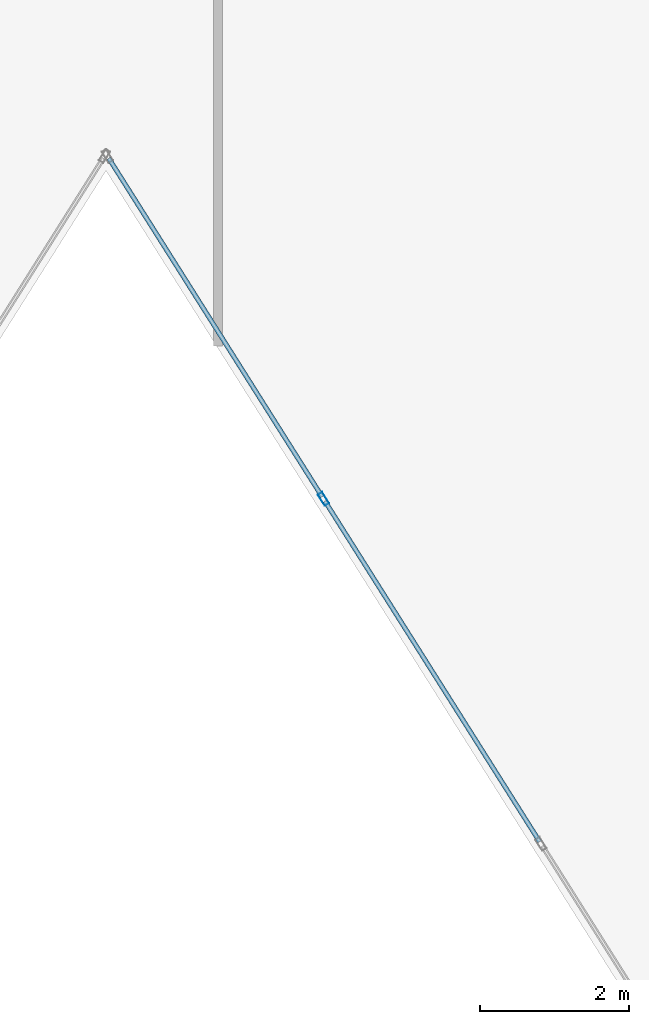
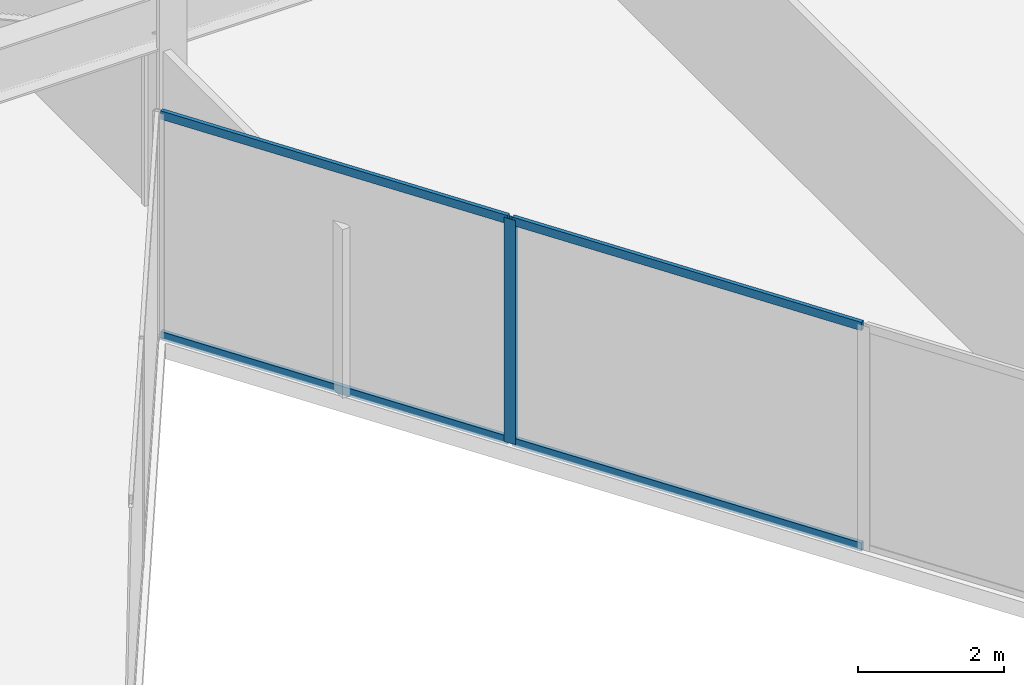
# One storey, part 15 of 25: 5 members, 1 element without a shape of its own.
"""IFC4 building model written with IfcOpenShell, lengths in metres."""

from ifc_helpers import new_model, si_unit, direction, frame, origin, origin_2d, place, context, subcontext, project, spatial, hollow_rectangle, extrude, material, layer, layer_set, material_profile, profile_set, type_object, element, aggregate, save


model = new_model("IFC4")

# Units and contexts
model_context = context("Model", 3, precision=1e-05, world=origin(), true_north=direction((0.0, 1.0)))
body_context = subcontext(model_context, "Body", "Model", "MODEL_VIEW")
ifc_project = project(units=[si_unit("LENGTHUNIT", "METRE"), si_unit("AREAUNIT", "SQUARE_METRE"), si_unit("VOLUMEUNIT", "CUBIC_METRE"), si_unit("PLANEANGLEUNIT", "RADIAN"), si_unit("MASSUNIT", "GRAM", prefix="KILO")], contexts=[model_context])

# Site, building, storey
site_placement = place(None, origin())
site = spatial("IfcSite", under=ifc_project, at=site_placement, CompositionType="ELEMENT")
building_placement = place(site_placement, origin())
building = spatial("IfcBuilding", under=site, at=building_placement, Name="Kravanh Interchange Tower", CompositionType="ELEMENT")
storey_placement = place(building_placement, frame((0.0, 0.0, 73.5)))
storey = spatial("IfcBuildingStorey", under=building, at=storey_placement, Name="L17", CompositionType="ELEMENT", Elevation=73.5)

# Curtain wall, members
ifc_material_1 = material(Name="Anodised Bronze Aluminium", Category="aluminium")
ifc_layer = layer(ifc_material_1, 0.179931640625)
ifc_layer_set = layer_set([ifc_layer], Name="Unitised Curtain Wall System CW-Z1 Lower Office")
curtain_wall_type = type_object("IfcCurtainWallType", Name="Unitised Curtain Wall System CW-Z1 Lower Office", PredefinedType="NOTDEFINED", material=ifc_layer_set)
curtain_wall_placement = place(storey_placement, origin())
curtain_wall = element("IfcCurtainWall", 1, at=curtain_wall_placement, inside=storey, type_object=curtain_wall_type, Name="L17 Unitised Curtain Wall CW-L17-04", PredefinedType="NOTDEFINED")
ifc_material_2 = material(Name="Anodised Bronze Aluminium", Category="aluminium")
ifc_material_profile_1 = material_profile(ifc_material_2, hollow_rectangle(XDim=0.070068359375, YDim=0.179931640625, WallThickness=0.00390625, at=origin_2d()), Name="ALU70X180X4")
ifc_profile_set_1 = profile_set([ifc_material_profile_1], Name="Anodised Bronze Aluminium")
member_type_1 = type_object("IfcMemberType", Name="Curtain Wall Mullion ALU70X180X4 Bronze", PredefinedType="MULLION", material=ifc_profile_set_1)
member_1_placement = place(storey_placement, frame((39.913330078125, 19.60400390625, 0.0), z_axis=(0.0, 0.0, 1.0), x_axis=(-0.845925530786, -0.53330103728, 0.0)))
member_1 = element("IfcMember", 2, at=member_1_placement, type_object=member_type_1, Name="CW-Z1 mullion 5", PredefinedType="MULLION", context=body_context, shape_type="SweptSolid", body=[
    extrude(hollow_rectangle(XDim=0.070068359375, YDim=0.179931640625, WallThickness=0.00390625, at=origin_2d()), origin(), (0.0, 0.0, 1.0), 3.739990234375),
])
ifc_material_3 = material(Name="Anodised Bronze Aluminium", Category="aluminium")
ifc_material_profile_2 = material_profile(ifc_material_3, hollow_rectangle(XDim=0.06005859375, YDim=0.139892578125, WallThickness=0.00390625, at=origin_2d()), Name="ALU60X140X4")
ifc_profile_set_2 = profile_set([ifc_material_profile_2], Name="Anodised Bronze Aluminium")
member_type_2 = type_object("IfcMemberType", Name="Curtain Wall Transom ALU60X140X4 Bronze", PredefinedType="USERDEFINED", material=ifc_profile_set_2)
member_2_placement = place(storey_placement, frame((42.807861328125, 15.0126953125, 0.030029296875), z_axis=(-0.533311487456, 0.84591894254, 0.0), x_axis=(-0.84591894254, -0.533311487456, 0.0)))
member_2 = element("IfcMember", 3, at=member_2_placement, type_object=member_type_2, Name="CW-Z1 transom 4.1", ObjectType="TRANSOM", PredefinedType="USERDEFINED", context=body_context, shape_type="SweptSolid", body=[
    extrude(hollow_rectangle(XDim=0.06005859375, YDim=0.139892578125, WallThickness=0.00390625, at=origin_2d()), origin(), (0.0, 0.0, 1.0), 5.392578125),
])
member_3_placement = place(storey_placement, frame((42.807861328125, 15.0126953125, 3.7099609375), z_axis=(-0.533311487456, 0.84591894254, 0.0), x_axis=(-0.84591894254, -0.533311487456, 0.0)))
member_3 = element("IfcMember", 4, at=member_3_placement, type_object=member_type_2, Name="CW-Z1 transom 4.2", ObjectType="TRANSOM", PredefinedType="USERDEFINED", context=body_context, shape_type="SweptSolid", body=[
    extrude(hollow_rectangle(XDim=0.06005859375, YDim=0.139892578125, WallThickness=0.00390625, at=origin_2d()), origin(), (0.0, 0.0, 1.0), 5.392578125),
])
member_4_placement = place(storey_placement, frame((39.89453125, 19.633544921875, 0.030029296875), z_axis=(-0.533288163518, 0.845933646719, 0.0), x_axis=(-0.845933646719, -0.533288163518, 0.0)))
member_4 = element("IfcMember", 5, at=member_4_placement, type_object=member_type_2, Name="CW-Z1 transom 5.1", ObjectType="TRANSOM", PredefinedType="USERDEFINED", context=body_context, shape_type="SweptSolid", body=[
    extrude(hollow_rectangle(XDim=0.06005859375, YDim=0.139892578125, WallThickness=0.00390625, at=origin_2d()), origin(), (0.0, 0.0, 1.0), 5.357666015625),
])
member_5_placement = place(storey_placement, frame((39.89453125, 19.633544921875, 3.7099609375), z_axis=(-0.533288163518, 0.845933646719, 0.0), x_axis=(-0.845933646719, -0.533288163518, 0.0)))
member_5 = element("IfcMember", 6, at=member_5_placement, type_object=member_type_2, Name="CW-Z1 transom 5.2", ObjectType="TRANSOM", PredefinedType="USERDEFINED", context=body_context, shape_type="SweptSolid", body=[
    extrude(hollow_rectangle(XDim=0.06005859375, YDim=0.139892578125, WallThickness=0.00390625, at=origin_2d()), origin(), (0.0, 0.0, 1.0), 5.357666015625),
])
aggregate(curtain_wall, [member_1, member_2, member_3, member_4, member_5])

save(model, "model.ifc")
